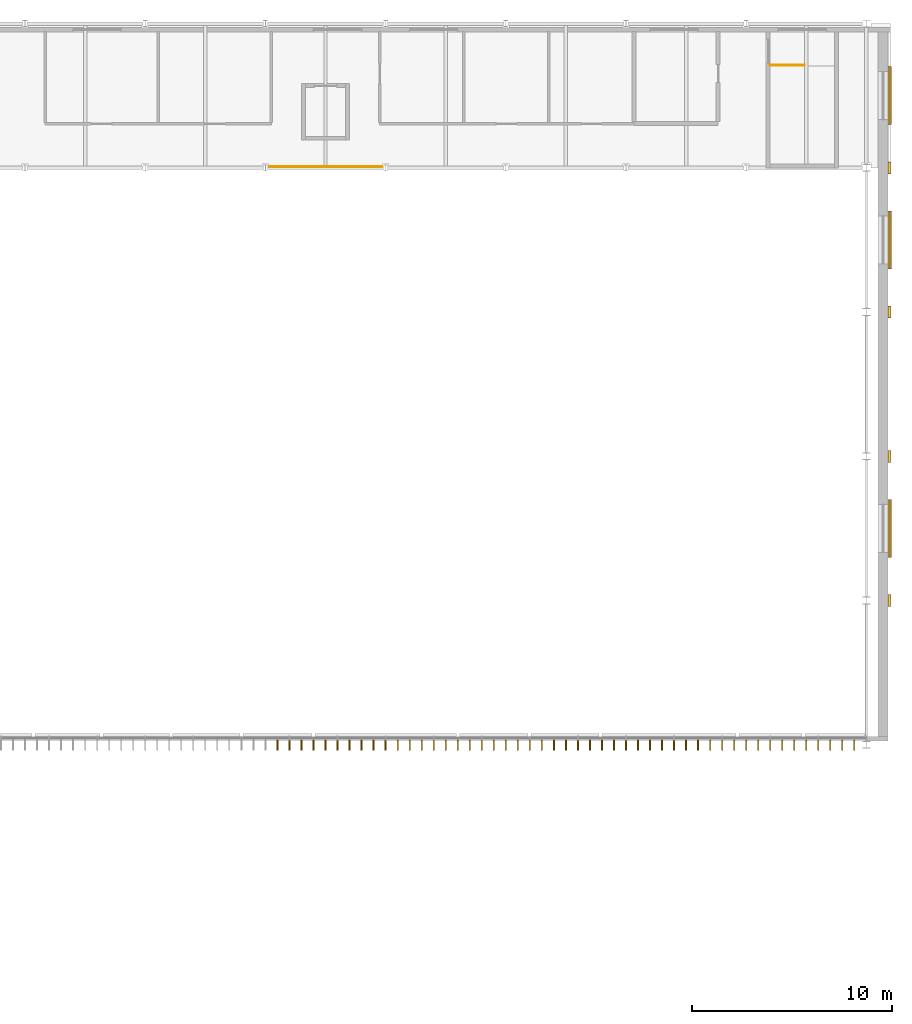
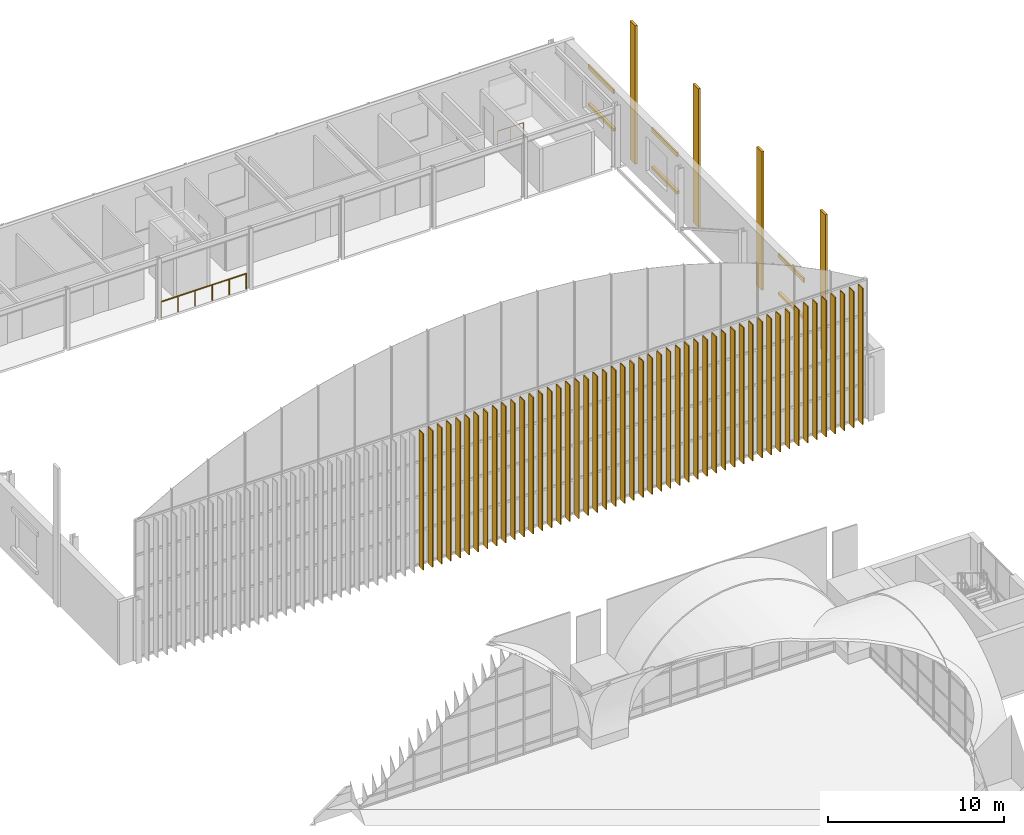
# One storey, part 169 of 169: 49 shading devices, 10 coverings, 2 railings.
"""IFC4 building model written with IfcOpenShell, lengths in metres."""

from ifc_helpers import new_model, si_unit, direction, frame, origin, origin_2d, place, context, subcontext, project, spatial, polyline, rectangle, circle, outline, extrude, material, layer, layer_set, type_object, element, save


model = new_model("IFC4")

# Units and contexts
model_context = context("Model", 3, precision=1e-05, world=origin(), true_north=direction((0.0, 1.0)))
body_context = subcontext(model_context, "Body", "Model", "MODEL_VIEW")
ifc_project = project(units=[si_unit("LENGTHUNIT", "METRE"), si_unit("AREAUNIT", "SQUARE_METRE"), si_unit("VOLUMEUNIT", "CUBIC_METRE"), si_unit("PLANEANGLEUNIT", "RADIAN"), si_unit("MASSUNIT", "GRAM", prefix="KILO")], contexts=[model_context])

# Site, building, storey
site_placement = place(None, origin())
site = spatial("IfcSite", under=ifc_project, at=site_placement, CompositionType="ELEMENT")
building_placement = place(site_placement, origin())
building = spatial("IfcBuilding", under=site, at=building_placement, Name="Verrick Yard Athletic Hall", CompositionType="ELEMENT")
storey_placement = place(building_placement, frame((0.0, 0.0, 4.39990234375)))
storey = spatial("IfcBuildingStorey", under=building, at=storey_placement, Name="L01", CompositionType="ELEMENT", Elevation=4.39990234375)

# Railing
ifc_material_1 = material(Name="Stainless steel 316", Category="steel")
railing_type_1 = type_object("IfcRailingType", Name="HB seating guard 1100", PredefinedType="GUARDRAIL", material=ifc_material_1)
railing_1_placement = place(storey_placement, frame((139.800048828125, 100.860107421875, 0.0)))
element("IfcRailing", 1, at=railing_1_placement, inside=storey, type_object=railing_type_1, Name="HB-GD-A-LOBBY", PredefinedType="GUARDRAIL", context=body_context, shape_type="SweptSolid", body=[
    extrude(circle(Radius=0.02392578125, at=origin_2d()), frame((0.0, 0.0, 1.076171875), z_axis=(1.0, 0.0, 0.0), x_axis=(0.0, 1.0, 0.0)), (0.0, 0.0, 1.0), 5.599853515625),
    extrude(circle(Radius=0.02099609375, at=origin_2d()), origin(), (0.0, 0.0, 1.0), 1.052001953125),
    extrude(circle(Radius=0.02099609375, at=origin_2d()), frame((1.119873046875, 0.0, 0.0)), (0.0, 0.0, 1.0), 1.052001953125),
    extrude(circle(Radius=0.02099609375, at=origin_2d()), frame((2.239990234375, 0.0, 0.0)), (0.0, 0.0, 1.0), 1.052001953125),
    extrude(circle(Radius=0.02099609375, at=origin_2d()), frame((3.35986328125, 0.0, 0.0)), (0.0, 0.0, 1.0), 1.052001953125),
    extrude(circle(Radius=0.02099609375, at=origin_2d()), frame((4.47998046875, 0.0, 0.0)), (0.0, 0.0, 1.0), 1.052001953125),
    extrude(circle(Radius=0.02099609375, at=origin_2d()), frame((5.599853515625, 0.0, 0.0)), (0.0, 0.0, 1.0), 1.052001953125),
])

# Shading devices
ifc_material_2 = material(Name="Anodised aluminium", Category="aluminium")
ifc_layer_1 = layer(ifc_material_2, 0.0625)
ifc_layer_set_1 = layer_set([ifc_layer_1], Name="Hall facade fin")
shading_device_type = type_object("IfcShadingDeviceType", Name="Hall facade fin", PredefinedType="USERDEFINED", material=ifc_layer_set_1)
for number, where, z_axis, x_axis, name in (
    (2, (140.199951171875, 71.71826171875, 0.0), (0.0, 0.0, 1.0), (0.0, 1.0, 0.0), "ENVB-HAS-FIN30"),
    (3, (140.800048828125, 71.71826171875, 0.0), (0.0, 0.0, 1.0), (0.0, 1.0, 0.0), "ENVB-HAS-FIN31"),
    (4, (141.39990234375, 71.71826171875, 0.0), (0.0, 0.0, 1.0), (0.0, 1.0, 0.0), "ENVB-HAS-FIN32"),
    (5, (142.0, 71.71826171875, 0.0), (0.0, 0.0, 1.0), (0.0, 1.0, 0.0), "ENVB-HAS-FIN33"),
    (6, (142.60009765625, 71.71826171875, 0.0), (0.0, 0.0, 1.0), (0.0, 1.0, 0.0), "ENVB-HAS-FIN34"),
    (7, (143.199951171875, 71.71826171875, 0.0), (0.0, 0.0, 1.0), (0.0, 1.0, 0.0), "ENVB-HAS-FIN35"),
    (8, (143.800048828125, 71.71826171875, 0.0), (0.0, 0.0, 1.0), (0.0, 1.0, 0.0), "ENVB-HAS-FIN36"),
    (9, (144.39990234375, 71.71826171875, 0.0), (0.0, 0.0, 1.0), (0.0, 1.0, 0.0), "ENVB-HAS-FIN37"),
    (10, (145.0, 71.71826171875, 0.0), (0.0, 0.0, 1.0), (0.0, 1.0, 0.0), "ENVB-HAS-FIN38"),
    (11, (145.60009765625, 71.71826171875, 0.0), (0.0, 0.0, 1.0), (0.0, 1.0, 0.0), "ENVB-HAS-FIN39"),
    (12, (146.199951171875, 71.71826171875, 0.0), (0.0, 0.0, 1.0), (0.0, 1.0, 0.0), "ENVB-HAS-FIN40"),
    (13, (146.800048828125, 71.71826171875, 0.0), (0.0, 0.0, 1.0), (0.0, 1.0, 0.0), "ENVB-HAS-FIN41"),
    (14, (147.39990234375, 71.71826171875, 0.0), (0.0, 0.0, 1.0), (0.0, 1.0, 0.0), "ENVB-HAS-FIN42"),
    (15, (148.0, 71.71826171875, 0.0), (0.0, 0.0, 1.0), (0.0, 1.0, 0.0), "ENVB-HAS-FIN43"),
    (16, (148.60009765625, 71.71826171875, 0.0), (0.0, 0.0, 1.0), (0.0, 1.0, 0.0), "ENVB-HAS-FIN44"),
    (17, (149.199951171875, 71.71826171875, 0.0), (0.0, 0.0, 1.0), (0.0, 1.0, 0.0), "ENVB-HAS-FIN45"),
    (18, (149.800048828125, 71.71826171875, 0.0), (0.0, 0.0, 1.0), (0.0, 1.0, 0.0), "ENVB-HAS-FIN46"),
    (19, (150.39990234375, 71.71826171875, 0.0), (0.0, 0.0, 1.0), (0.0, 1.0, 0.0), "ENVB-HAS-FIN47"),
    (20, (151.0, 71.71826171875, 0.0), (0.0, 0.0, 1.0), (0.0, 1.0, 0.0), "ENVB-HAS-FIN48"),
    (21, (151.60009765625, 71.71826171875, 0.0), (0.0, 0.0, 1.0), (0.0, 1.0, 0.0), "ENVB-HAS-FIN49"),
    (22, (152.199951171875, 71.71826171875, 0.0), (0.0, 0.0, 1.0), (0.0, 1.0, 0.0), "ENVB-HAS-FIN50"),
    (23, (152.800048828125, 71.71826171875, 0.0), (0.0, 0.0, 1.0), (0.0, 1.0, 0.0), "ENVB-HAS-FIN51"),
    (24, (153.39990234375, 71.71826171875, 0.0), (0.0, 0.0, 1.0), (0.0, 1.0, 0.0), "ENVB-HAS-FIN52"),
    (25, (154.0, 71.71826171875, 0.0), (0.0, 0.0, 1.0), (0.0, 1.0, 0.0), "ENVB-HAS-FIN53"),
    (26, (154.60009765625, 71.71826171875, 0.0), (0.0, 0.0, 1.0), (0.0, 1.0, 0.0), "ENVB-HAS-FIN54"),
    (27, (155.199951171875, 71.71826171875, 0.0), (0.0, 0.0, 1.0), (0.0, 1.0, 0.0), "ENVB-HAS-FIN55"),
    (28, (155.800048828125, 71.71826171875, 0.0), (0.0, 0.0, 1.0), (0.0, 1.0, 0.0), "ENVB-HAS-FIN56"),
    (29, (156.39990234375, 71.71826171875, 0.0), (0.0, 0.0, 1.0), (0.0, 1.0, 0.0), "ENVB-HAS-FIN57"),
    (30, (157.0, 71.71826171875, 0.0), (0.0, 0.0, 1.0), (0.0, 1.0, 0.0), "ENVB-HAS-FIN58"),
    (31, (157.60009765625, 71.71826171875, 0.0), (0.0, 0.0, 1.0), (0.0, 1.0, 0.0), "ENVB-HAS-FIN59"),
    (32, (158.199951171875, 71.71826171875, 0.0), (0.0, 0.0, 1.0), (0.0, 1.0, 0.0), "ENVB-HAS-FIN60"),
    (33, (158.800048828125, 71.71826171875, 0.0), (0.0, 0.0, 1.0), (0.0, 1.0, 0.0), "ENVB-HAS-FIN61"),
    (34, (159.39990234375, 71.71826171875, 0.0), (0.0, 0.0, 1.0), (0.0, 1.0, 0.0), "ENVB-HAS-FIN62"),
    (35, (160.0, 71.71826171875, 0.0), (0.0, 0.0, 1.0), (0.0, 1.0, 0.0), "ENVB-HAS-FIN63"),
    (36, (160.60009765625, 71.71826171875, 0.0), (0.0, 0.0, 1.0), (0.0, 1.0, 0.0), "ENVB-HAS-FIN64"),
    (37, (161.199951171875, 71.71826171875, 0.0), (0.0, 0.0, 1.0), (0.0, 1.0, 0.0), "ENVB-HAS-FIN65"),
    (38, (161.800048828125, 71.71826171875, 0.0), (0.0, 0.0, 1.0), (0.0, 1.0, 0.0), "ENVB-HAS-FIN66"),
    (39, (162.39990234375, 71.71826171875, 0.0), (0.0, 0.0, 1.0), (0.0, 1.0, 0.0), "ENVB-HAS-FIN67"),
    (40, (163.0, 71.71826171875, 0.0), (0.0, 0.0, 1.0), (0.0, 1.0, 0.0), "ENVB-HAS-FIN68"),
    (41, (163.60009765625, 71.71826171875, 0.0), (0.0, 0.0, 1.0), (0.0, 1.0, 0.0), "ENVB-HAS-FIN69"),
    (42, (164.199951171875, 71.71826171875, 0.0), (0.0, 0.0, 1.0), (0.0, 1.0, 0.0), "ENVB-HAS-FIN70"),
    (43, (164.800048828125, 71.71826171875, 0.0), (0.0, 0.0, 1.0), (0.0, 1.0, 0.0), "ENVB-HAS-FIN71"),
    (44, (165.39990234375, 71.71826171875, 0.0), (0.0, 0.0, 1.0), (0.0, 1.0, 0.0), "ENVB-HAS-FIN72"),
    (45, (166.0, 71.71826171875, 0.0), (0.0, 0.0, 1.0), (0.0, 1.0, 0.0), "ENVB-HAS-FIN73"),
    (46, (166.60009765625, 71.71826171875, 0.0), (0.0, 0.0, 1.0), (0.0, 1.0, 0.0), "ENVB-HAS-FIN74"),
    (47, (167.199951171875, 71.71826171875, 0.0), (0.0, 0.0, 1.0), (0.0, 1.0, 0.0), "ENVB-HAS-FIN75"),
    (48, (167.800048828125, 71.71826171875, 0.0), (0.0, 0.0, 1.0), (0.0, 1.0, 0.0), "ENVB-HAS-FIN76"),
    (49, (168.39990234375, 71.71826171875, 0.0), (0.0, 0.0, 1.0), (0.0, 1.0, 0.0), "ENVB-HAS-FIN77"),
    (50, (169.0, 71.71826171875, 0.0), (0.0, 0.0, 1.0), (0.0, 1.0, 0.0), "ENVB-HAS-FIN78"),
):
    element("IfcShadingDevice", number, at=place(storey_placement, frame(where, z_axis=z_axis, x_axis=x_axis)), inside=storey, type_object=shading_device_type, Name=name, ObjectType="FIN", PredefinedType="USERDEFINED", context=body_context, shape_type="SweptSolid", body=[
        extrude(outline(polyline([(0.0, 0.0), (0.5, 0.0), (0.5, 9.4501953125), (0.0, 9.4501953125), (0.0, 0.0)])), frame((0.0, 0.03125, 0.0), z_axis=(0.0, -1.0, 0.0), x_axis=(1.0, 0.0, 0.0)), (0.0, 0.0, 1.0), 0.0625),
    ])

# Railing
ifc_material_3 = material(Name="Stainless steel", Category="steel")
railing_type_2 = type_object("IfcRailingType", Name="Stair and core guard 1100", PredefinedType="GUARDRAIL", material=ifc_material_3)
railing_2_placement = place(storey_placement, frame((164.800048828125, 105.925048828125, 0.0)))
element("IfcRailing", 51, at=railing_2_placement, inside=storey, type_object=railing_type_2, Name="L01 Sports Hall A east band top well guard 1", PredefinedType="GUARDRAIL", context=body_context, shape_type="SweptSolid", body=[
    extrude(circle(Radius=0.02392578125, at=origin_2d()), frame((0.0, 0.0, 1.076171875), z_axis=(1.0, 0.0, 0.0), x_axis=(0.0, 1.0, 0.0)), (0.0, 0.0, 1.0), 1.699951171875),
    extrude(circle(Radius=0.02099609375, at=origin_2d()), origin(), (0.0, 0.0, 1.0), 1.052001953125),
    extrude(circle(Radius=0.02099609375, at=origin_2d()), frame((0.85009765625, 0.0, 0.0)), (0.0, 0.0, 1.0), 1.052001953125),
    extrude(circle(Radius=0.02099609375, at=origin_2d()), frame((1.699951171875, 0.0, 0.0)), (0.0, 0.0, 1.0), 1.052001953125),
])

# Coverings
ifc_material_4 = material(Name="Tyndall-stone-look precast cladding", Category="masonry")
ifc_layer_2 = layer(ifc_material_4, 0.125)
ifc_layer_set_2 = layer_set([ifc_layer_2], Name="Stone cladding")
covering_type_1 = type_object("IfcCoveringType", Name="Stone cladding", PredefinedType="CLADDING", material=ifc_layer_set_2)
for number, where, z_axis, x_axis, name in (
    (52, (170.75, 79.199951171875, 0.0), (0.0, 0.0, 1.0), (1.0, 0.0, 0.0), "ENVB-HA-E-PIL1"),
    (53, (170.75, 86.39990234375, 0.0), (0.0, 0.0, 1.0), (1.0, 0.0, 0.0), "ENVB-HA-E-PIL2"),
    (54, (170.75, 93.60009765625, 0.0), (0.0, 0.0, 1.0), (1.0, 0.0, 0.0), "ENVB-HA-E-PIL3"),
    (55, (170.75, 100.800048828125, 0.0), (0.0, 0.0, 1.0), (1.0, 0.0, 0.0), "ENVB-HA-E-PIL4"),
):
    element("IfcCovering", number, at=place(storey_placement, frame(where, z_axis=z_axis, x_axis=x_axis)), inside=storey, type_object=covering_type_1, Name=name, PredefinedType="CLADDING", context=body_context, shape_type="SweptSolid", body=[
        extrude(rectangle(XDim=0.14990234375, YDim=0.60009765625, at=origin_2d()), origin(), (0.0, 0.0, 1.0), 9.60009765625),
    ])
ifc_layer_3 = layer(ifc_material_4, 0.25)
ifc_layer_set_3 = layer_set([ifc_layer_3], Name="Stone moulding")
covering_type_2 = type_object("IfcCoveringType", Name="Stone moulding", PredefinedType="MOLDING", material=ifc_layer_set_3)
covering_1_placement = place(storey_placement, frame((170.764892578125, 82.80078125, 0.80029296875), z_axis=(0.0, 0.0, 1.0), x_axis=(0.0, 1.0, 0.0)))
element("IfcCovering", 56, at=covering_1_placement, inside=storey, type_object=covering_type_2, Name="Window sill", PredefinedType="MOLDING", context=body_context, shape_type="SweptSolid", body=[
    extrude(rectangle(XDim=2.89990234375, YDim=0.179931640625, at=origin_2d()), origin(), (0.0, 0.0, 1.0), 0.199951171875),
])
covering_2_placement = place(storey_placement, frame((170.72509765625, 82.80078125, 3.39990234375), z_axis=(0.0, 0.0, 1.0), x_axis=(0.0, 1.0, 0.0)))
element("IfcCovering", 57, at=covering_2_placement, inside=storey, type_object=covering_type_2, Name="Window head", PredefinedType="MOLDING", context=body_context, shape_type="SweptSolid", body=[
    extrude(rectangle(XDim=2.89990234375, YDim=0.10009765625, at=origin_2d()), origin(), (0.0, 0.0, 1.0), 0.300048828125),
])
covering_3_placement = place(storey_placement, frame((170.764892578125, 97.200927734375, 0.80029296875), z_axis=(0.0, 0.0, 1.0), x_axis=(0.0, 1.0, 0.0)))
element("IfcCovering", 58, at=covering_3_placement, inside=storey, type_object=covering_type_2, Name="Window sill", PredefinedType="MOLDING", context=body_context, shape_type="SweptSolid", body=[
    extrude(rectangle(XDim=2.89990234375, YDim=0.179931640625, at=origin_2d()), origin(), (0.0, 0.0, 1.0), 0.199951171875),
])
covering_4_placement = place(storey_placement, frame((170.72509765625, 97.200927734375, 3.39990234375), z_axis=(0.0, 0.0, 1.0), x_axis=(0.0, 1.0, 0.0)))
element("IfcCovering", 59, at=covering_4_placement, inside=storey, type_object=covering_type_2, Name="Window head", PredefinedType="MOLDING", context=body_context, shape_type="SweptSolid", body=[
    extrude(rectangle(XDim=2.89990234375, YDim=0.10009765625, at=origin_2d()), origin(), (0.0, 0.0, 1.0), 0.300048828125),
])
covering_5_placement = place(storey_placement, frame((170.764892578125, 104.40087890625, 0.80029296875), z_axis=(0.0, 0.0, 1.0), x_axis=(0.0, 1.0, 0.0)))
element("IfcCovering", 60, at=covering_5_placement, inside=storey, type_object=covering_type_2, Name="Window sill", PredefinedType="MOLDING", context=body_context, shape_type="SweptSolid", body=[
    extrude(rectangle(XDim=2.89990234375, YDim=0.179931640625, at=origin_2d()), origin(), (0.0, 0.0, 1.0), 0.199951171875),
])
covering_6_placement = place(storey_placement, frame((170.72509765625, 104.40087890625, 3.39990234375), z_axis=(0.0, 0.0, 1.0), x_axis=(0.0, 1.0, 0.0)))
element("IfcCovering", 61, at=covering_6_placement, inside=storey, type_object=covering_type_2, Name="Window head", PredefinedType="MOLDING", context=body_context, shape_type="SweptSolid", body=[
    extrude(rectangle(XDim=2.89990234375, YDim=0.10009765625, at=origin_2d()), origin(), (0.0, 0.0, 1.0), 0.300048828125),
])

save(model, "model.ifc")
